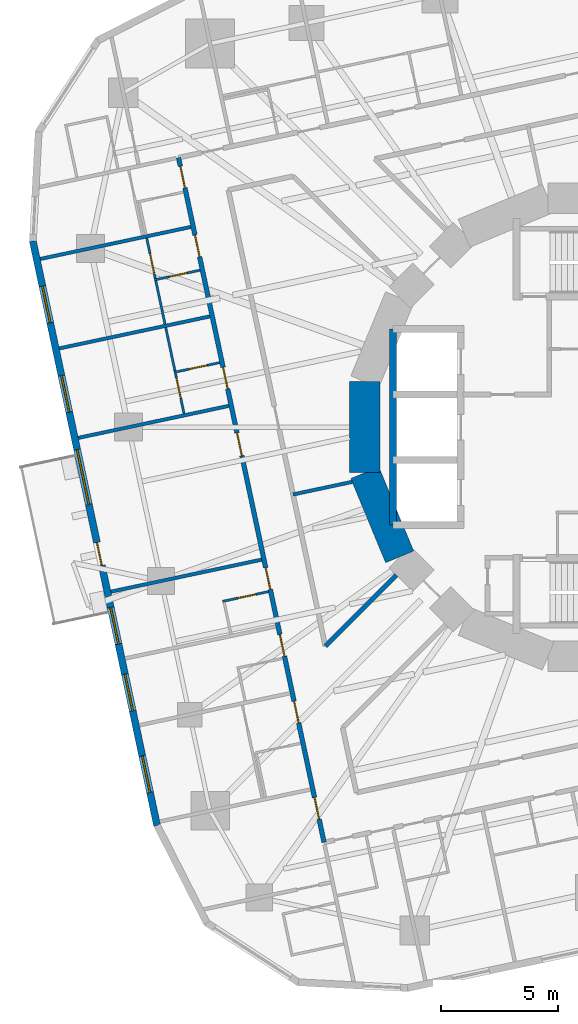
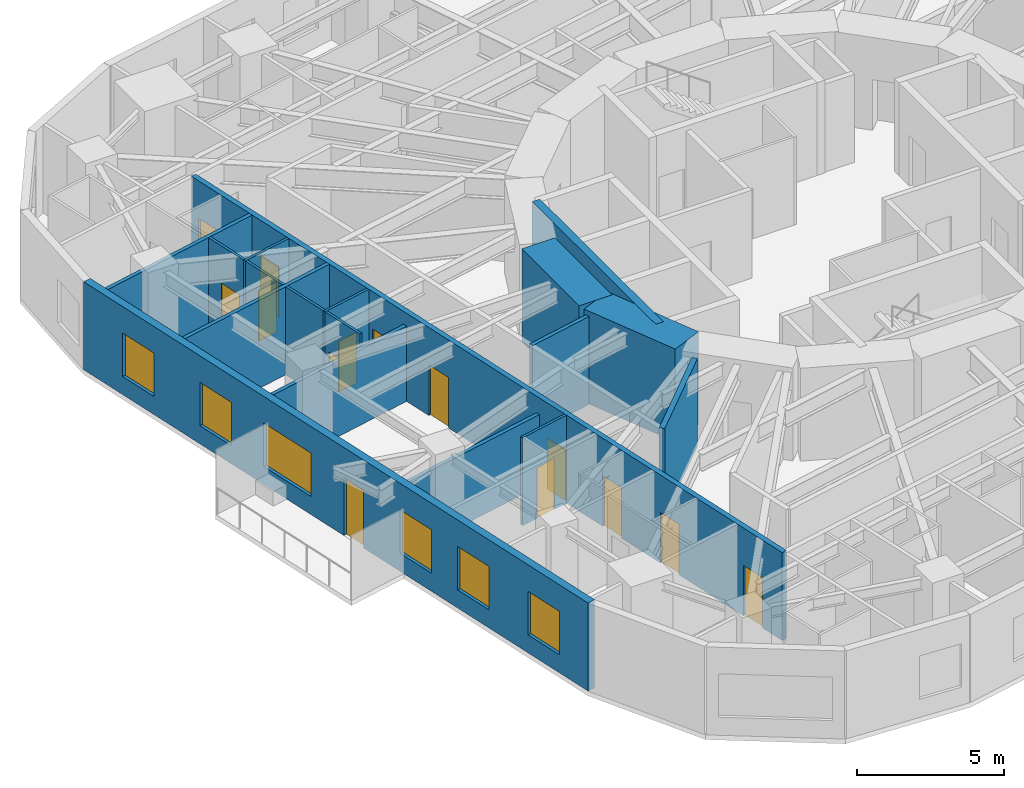
# One storey, part 6 of 14: 18 walls, 14 doors, 6 windows, 20 openings.
"""IFC4 building model written with IfcOpenShell, lengths in metres."""

from ifc_helpers import new_model, si_unit, direction, frame, frame_2d, origin, place, context, subcontext, project, spatial, rectangle, extrude, material, layer, layer_set, type_object, element, fill, save


model = new_model("IFC4")

# Units and contexts
model_context = context("Model", 3, precision=1e-05, world=origin(), true_north=direction((0.0, 1.0)))
body_context = subcontext(model_context, "Body", "Model", "MODEL_VIEW")
ifc_project = project(units=[si_unit("LENGTHUNIT", "METRE"), si_unit("AREAUNIT", "SQUARE_METRE"), si_unit("VOLUMEUNIT", "CUBIC_METRE"), si_unit("PLANEANGLEUNIT", "RADIAN"), si_unit("MASSUNIT", "GRAM", prefix="KILO")], contexts=[model_context])

# Site, building, storey
site_placement = place(None, origin())
site = spatial("IfcSite", under=ifc_project, at=site_placement, CompositionType="ELEMENT")
building_placement = place(site_placement, origin())
building = spatial("IfcBuilding", under=site, at=building_placement, Name="Nakasero Lantern House", CompositionType="ELEMENT")
storey_placement = place(building_placement, frame((0.0, 0.0, 120.39990234375)))
storey = spatial("IfcBuildingStorey", under=building, at=storey_placement, Name="L29", CompositionType="ELEMENT", Elevation=120.39990234375)

# Walls
ifc_material_1 = material(Name="Concrete C50/60", Category="concrete")
ifc_layer_1 = layer(ifc_material_1, 0.300048828125)
ifc_layer_set_1 = layer_set([ifc_layer_1], Name="Core inner wall 300")
wall_type_1 = type_object("IfcWallType", Name="Core inner wall 300", PredefinedType="SHEAR", material=ifc_layer_set_1)
wall_1_placement = place(storey_placement, frame((-8.60009765625, -4.199951171875, 0.0), z_axis=(0.0, 0.0, 1.0), x_axis=(0.0, 1.0, 0.0)))
element("IfcWall", 1, at=wall_1_placement, inside=storey, type_object=wall_type_1, Name="Core inner wall L29 LWB", PredefinedType="SHEAR", context=body_context, shape_type="SweptSolid", body=[
    extrude(rectangle(XDim=8.39990234375, YDim=0.300048828125, at=frame_2d((4.199951171875, 0.0))), origin(), (0.0, 0.0, 1.0), 3.85009765625),
])
ifc_material_2 = material(Name="Concrete C50/60", Category="concrete")
ifc_layer_2 = layer(ifc_material_2, 1.300048828125)
ifc_layer_set_2 = layer_set([ifc_layer_2], Name="Core wall 1300")
wall_type_2 = type_object("IfcWallType", Name="Core wall 1300", PredefinedType="SHEAR", material=ifc_layer_set_2)
for number, where, z_axis, x_axis, name in (
    (2, (-9.807861328125, 1.950927734375, 0.0), (0.0, 0.0, 1.0), (0.0, -1.0, 0.0), "Core wall L29 facet 8"),
    (3, (-9.807861328125, -1.950927734375, 0.0), (0.0, 0.0, 1.0), (0.382690736062, -0.923876507187, 0.0), "Core wall L29 facet 9"),
):
    element("IfcWall", number, at=place(storey_placement, frame(where, z_axis=z_axis, x_axis=x_axis)), inside=storey, type_object=wall_type_2, Name=name, PredefinedType="SHEAR", context=body_context, shape_type="SweptSolid", body=[
        extrude(rectangle(XDim=3.90185546875, YDim=1.300048828125, at=frame_2d((1.950927734375, 0.0))), origin(), (0.0, 0.0, 1.0), 3.85009765625),
    ])

# Wall, openings, doors
ifc_material_3 = material(Name="Blockwork", Category="masonry")
ifc_layer_3 = layer(ifc_material_3, 0.199951171875)
ifc_layer_set_3 = layer_set([ifc_layer_3], Name="Corridor wall 200")
wall_type_3 = type_object("IfcWallType", Name="Corridor wall 200", PredefinedType="PARTITIONING", material=ifc_layer_set_3)
wall_2_placement = place(storey_placement, frame((-17.790771484375, 11.553466796875, 0.0), z_axis=(0.0, 0.0, 1.0), x_axis=(0.207911508826, -0.978147639417, 0.0)))
wall_2 = element("IfcWall", 4, at=wall_2_placement, inside=storey, type_object=wall_type_3, Name="Corridor wall L29 CW2", PredefinedType="PARTITIONING", context=body_context, shape_type="SweptSolid", body=[
    extrude(rectangle(XDim=29.999755859375, YDim=0.199951171875, at=frame_2d((15.0, 0.0))), origin(), (0.0, 0.0, 1.0), 3.650146484375),
])
opening_1_placement = place(wall_2_placement, frame((0.375, 0.0, 0.0)))
opening_1 = element("IfcOpeningElement", 5, at=opening_1_placement, cuts=wall_2, Name="Opening D01", PredefinedType="OPENING", context=body_context, shape_type="SweptSolid", body=[
    extrude(rectangle(XDim=0.949951171875, YDim=2.10009765625, at=frame_2d((0.47509765625, 1.050048828125))), frame((0.0, 0.119873046875, 0.0), z_axis=(0.0, -1.0, 0.0), x_axis=(1.0, 0.0, 0.0)), (0.0, 0.0, 1.0), 0.239990234375),
])
opening_2_placement = place(wall_2_placement, frame((3.39111328125, 0.0, 0.0)))
opening_2 = element("IfcOpeningElement", 6, at=opening_2_placement, cuts=wall_2, Name="Opening D01", PredefinedType="OPENING", context=body_context, shape_type="SweptSolid", body=[
    extrude(rectangle(XDim=0.949951171875, YDim=2.10009765625, at=frame_2d((0.47509765625, 1.050048828125))), frame((0.0, 0.119873046875, 0.0), z_axis=(0.0, -1.0, 0.0), x_axis=(1.0, 0.0, 0.0)), (0.0, 0.0, 1.0), 0.239990234375),
])
opening_3_placement = place(wall_2_placement, frame((9.185546875, 0.0, 0.0)))
opening_3 = element("IfcOpeningElement", 7, at=opening_3_placement, cuts=wall_2, Name="Opening D01", PredefinedType="OPENING", context=body_context, shape_type="SweptSolid", body=[
    extrude(rectangle(XDim=0.949951171875, YDim=2.10009765625, at=frame_2d((0.47509765625, 1.050048828125))), frame((0.0, 0.119873046875, 0.0), z_axis=(0.0, -1.0, 0.0), x_axis=(1.0, 0.0, 0.0)), (0.0, 0.0, 1.0), 0.239990234375),
])
opening_4_placement = place(wall_2_placement, frame((17.967529296875, 0.0, 0.0)))
opening_4 = element("IfcOpeningElement", 8, at=opening_4_placement, cuts=wall_2, Name="Opening D01", PredefinedType="OPENING", context=body_context, shape_type="SweptSolid", body=[
    extrude(rectangle(XDim=0.949951171875, YDim=2.10009765625, at=frame_2d((0.47509765625, 1.050048828125))), frame((0.0, 0.119873046875, 0.0), z_axis=(0.0, -1.0, 0.0), x_axis=(1.0, 0.0, 0.0)), (0.0, 0.0, 1.0), 0.239990234375),
])
opening_5_placement = place(wall_2_placement, frame((20.89404296875, 0.0, 0.0)))
opening_5 = element("IfcOpeningElement", 9, at=opening_5_placement, cuts=wall_2, Name="Opening D01", PredefinedType="OPENING", context=body_context, shape_type="SweptSolid", body=[
    extrude(rectangle(XDim=0.949951171875, YDim=2.10009765625, at=frame_2d((0.47509765625, 1.050048828125))), frame((0.0, 0.119873046875, 0.0), z_axis=(0.0, -1.0, 0.0), x_axis=(1.0, 0.0, 0.0)), (0.0, 0.0, 1.0), 0.239990234375),
])
opening_6_placement = place(wall_2_placement, frame((23.8203125, 0.0, 0.0)))
opening_6 = element("IfcOpeningElement", 10, at=opening_6_placement, cuts=wall_2, Name="Opening D01", PredefinedType="OPENING", context=body_context, shape_type="SweptSolid", body=[
    extrude(rectangle(XDim=0.949951171875, YDim=2.10009765625, at=frame_2d((0.47509765625, 1.050048828125))), frame((0.0, 0.119873046875, 0.0), z_axis=(0.0, -1.0, 0.0), x_axis=(1.0, 0.0, 0.0)), (0.0, 0.0, 1.0), 0.239990234375),
])
opening_7_placement = place(wall_2_placement, frame((28.038330078125, 0.0, 0.0)))
opening_7 = element("IfcOpeningElement", 11, at=opening_7_placement, cuts=wall_2, Name="Opening D01", PredefinedType="OPENING", context=body_context, shape_type="SweptSolid", body=[
    extrude(rectangle(XDim=0.949951171875, YDim=2.10009765625, at=frame_2d((0.47509765625, 1.050048828125))), frame((0.0, 0.119873046875, 0.0), z_axis=(0.0, -1.0, 0.0), x_axis=(1.0, 0.0, 0.0)), (0.0, 0.0, 1.0), 0.239990234375),
])
opening_8_placement = place(wall_2_placement, frame((12.05517578125, 0.0, 0.0)))
opening_8 = element("IfcOpeningElement", 12, at=opening_8_placement, cuts=wall_2, Name="Opening D03", PredefinedType="OPENING", context=body_context, shape_type="SweptSolid", body=[
    extrude(rectangle(XDim=1.0, YDim=2.10009765625, at=frame_2d((0.5, 1.050048828125))), frame((0.0, 0.119873046875, 0.0), z_axis=(0.0, -1.0, 0.0), x_axis=(1.0, 0.0, 0.0)), (0.0, 0.0, 1.0), 0.239990234375),
])
ifc_material_4 = material(Name="Timber C24", Category="wood")
door_type_1 = type_object("IfcDoorType", Name="Bedroom door FD30S 950", OperationType="SINGLE_SWING_LEFT", PredefinedType="DOOR", material=ifc_material_4)
door_1_placement = place(opening_1_placement, origin())
door_1 = element("IfcDoor", 13, at=door_1_placement, inside=storey, type_object=door_type_1, Name="Door L29 D2-00", OperationType="SINGLE_SWING_LEFT", OverallHeight=2.10009765625, OverallWidth=0.949951171875, PredefinedType="DOOR", context=body_context, shape_type="SweptSolid", body=[
    extrude(rectangle(XDim=0.949951171875, YDim=2.10009765625, at=frame_2d((0.47509765625, 1.050048828125))), frame((0.0, 0.02490234375, 0.0), z_axis=(0.0, -1.0, 0.0), x_axis=(1.0, 0.0, 0.0)), (0.0, 0.0, 1.0), 0.050048828125),
])
fill(opening_1, door_1)
door_2_placement = place(opening_2_placement, origin())
door_2 = element("IfcDoor", 14, at=door_2_placement, inside=storey, type_object=door_type_1, Name="Door L29 D2-01", OperationType="SINGLE_SWING_LEFT", OverallHeight=2.10009765625, OverallWidth=0.949951171875, PredefinedType="DOOR", context=body_context, shape_type="SweptSolid", body=[
    extrude(rectangle(XDim=0.949951171875, YDim=2.10009765625, at=frame_2d((0.47509765625, 1.050048828125))), frame((0.0, 0.02490234375, 0.0), z_axis=(0.0, -1.0, 0.0), x_axis=(1.0, 0.0, 0.0)), (0.0, 0.0, 1.0), 0.050048828125),
])
fill(opening_2, door_2)
door_3_placement = place(opening_3_placement, origin())
door_3 = element("IfcDoor", 15, at=door_3_placement, inside=storey, type_object=door_type_1, Name="Door L29 D2-02", OperationType="SINGLE_SWING_LEFT", OverallHeight=2.10009765625, OverallWidth=0.949951171875, PredefinedType="DOOR", context=body_context, shape_type="SweptSolid", body=[
    extrude(rectangle(XDim=0.949951171875, YDim=2.10009765625, at=frame_2d((0.47509765625, 1.050048828125))), frame((0.0, 0.02490234375, 0.0), z_axis=(0.0, -1.0, 0.0), x_axis=(1.0, 0.0, 0.0)), (0.0, 0.0, 1.0), 0.050048828125),
])
fill(opening_3, door_3)
door_4_placement = place(opening_4_placement, origin())
door_4 = element("IfcDoor", 16, at=door_4_placement, inside=storey, type_object=door_type_1, Name="Door L29 D2-05", OperationType="SINGLE_SWING_RIGHT", OverallHeight=2.10009765625, OverallWidth=0.949951171875, PredefinedType="DOOR", context=body_context, shape_type="SweptSolid", body=[
    extrude(rectangle(XDim=0.949951171875, YDim=2.10009765625, at=frame_2d((0.47509765625, 1.050048828125))), frame((0.0, 0.02490234375, 0.0), z_axis=(0.0, -1.0, 0.0), x_axis=(1.0, 0.0, 0.0)), (0.0, 0.0, 1.0), 0.050048828125),
])
fill(opening_4, door_4)
door_5_placement = place(opening_5_placement, origin())
door_5 = element("IfcDoor", 17, at=door_5_placement, inside=storey, type_object=door_type_1, Name="Door L29 D2-06", OperationType="SINGLE_SWING_RIGHT", OverallHeight=2.10009765625, OverallWidth=0.949951171875, PredefinedType="DOOR", context=body_context, shape_type="SweptSolid", body=[
    extrude(rectangle(XDim=0.949951171875, YDim=2.10009765625, at=frame_2d((0.47509765625, 1.050048828125))), frame((0.0, 0.02490234375, 0.0), z_axis=(0.0, -1.0, 0.0), x_axis=(1.0, 0.0, 0.0)), (0.0, 0.0, 1.0), 0.050048828125),
])
fill(opening_5, door_5)
door_6_placement = place(opening_6_placement, origin())
door_6 = element("IfcDoor", 18, at=door_6_placement, inside=storey, type_object=door_type_1, Name="Door L29 D2-07", OperationType="SINGLE_SWING_RIGHT", OverallHeight=2.10009765625, OverallWidth=0.949951171875, PredefinedType="DOOR", context=body_context, shape_type="SweptSolid", body=[
    extrude(rectangle(XDim=0.949951171875, YDim=2.10009765625, at=frame_2d((0.47509765625, 1.050048828125))), frame((0.0, 0.02490234375, 0.0), z_axis=(0.0, -1.0, 0.0), x_axis=(1.0, 0.0, 0.0)), (0.0, 0.0, 1.0), 0.050048828125),
])
fill(opening_6, door_6)
door_7_placement = place(opening_7_placement, origin())
door_7 = element("IfcDoor", 19, at=door_7_placement, inside=storey, type_object=door_type_1, Name="Door L29 D2-08", OperationType="SINGLE_SWING_RIGHT", OverallHeight=2.10009765625, OverallWidth=0.949951171875, PredefinedType="DOOR", context=body_context, shape_type="SweptSolid", body=[
    extrude(rectangle(XDim=0.949951171875, YDim=2.10009765625, at=frame_2d((0.47509765625, 1.050048828125))), frame((0.0, 0.02490234375, 0.0), z_axis=(0.0, -1.0, 0.0), x_axis=(1.0, 0.0, 0.0)), (0.0, 0.0, 1.0), 0.050048828125),
])
fill(opening_7, door_7)
ifc_material_5 = material(Name="Timber C24", Category="wood")
door_type_2 = type_object("IfcDoorType", Name="Lounge door FD30S 1000", OperationType="SINGLE_SWING_LEFT", PredefinedType="DOOR", material=ifc_material_5)
door_8_placement = place(opening_8_placement, origin())
door_8 = element("IfcDoor", 20, at=door_8_placement, inside=storey, type_object=door_type_2, Name="Door L29 DK2", OperationType="SINGLE_SWING_LEFT", OverallHeight=2.10009765625, OverallWidth=1.0, PredefinedType="DOOR", context=body_context, shape_type="SweptSolid", body=[
    extrude(rectangle(XDim=1.0, YDim=2.10009765625, at=frame_2d((0.5, 1.050048828125))), frame((0.0, 0.02490234375, 0.0), z_axis=(0.0, -1.0, 0.0), x_axis=(1.0, 0.0, 0.0)), (0.0, 0.0, 1.0), 0.050048828125),
])
fill(opening_8, door_8)

# Wall
wall_3_placement = place(storey_placement, frame((-8.45556640625, -6.334228515625, 0.0), z_axis=(0.0, 0.0, 1.0), x_axis=(-0.707106781187, -0.707106781187, 0.0)))
element("IfcWall", 21, at=wall_3_placement, inside=storey, type_object=wall_type_3, Name="Corridor wall L29 PS10b", PredefinedType="PARTITIONING", context=body_context, shape_type="SweptSolid", body=[
    extrude(rectangle(XDim=4.30712890625, YDim=0.199951171875, at=frame_2d((2.153564453125, 0.0))), origin(), (0.0, 0.0, 1.0), 3.650146484375),
])

# Wall, opening, door
ifc_material_6 = material(Name="Blockwork", Category="masonry")
ifc_layer_4 = layer(ifc_material_6, 0.10009765625)
ifc_layer_set_4 = layer_set([ifc_layer_4], Name="En-suite wall 100")
wall_type_4 = type_object("IfcWallType", Name="En-suite wall 100", PredefinedType="PARTITIONING", material=ifc_layer_set_4)
wall_4_placement = place(storey_placement, frame((-16.86767578125, 6.7294921875, 0.0), z_axis=(0.0, 0.0, 1.0), x_axis=(-0.978128127149, -0.208003285743, 0.0)))
wall_4 = element("IfcWall", 22, at=wall_4_placement, inside=storey, type_object=wall_type_4, Name="En-suite wall L29 ES2-01", PredefinedType="PARTITIONING", context=body_context, shape_type="SweptSolid", body=[
    extrude(rectangle(XDim=2.0, YDim=0.10009765625, at=frame_2d((1.0, 0.0))), origin(), (0.0, 0.0, 1.0), 3.650146484375),
])
opening_9_placement = place(wall_4_placement, frame((0.550048828125, 0.0, 0.0)))
opening_9 = element("IfcOpeningElement", 23, at=opening_9_placement, cuts=wall_4, Name="Opening D02", PredefinedType="OPENING", context=body_context, shape_type="SweptSolid", body=[
    extrude(rectangle(XDim=0.800048828125, YDim=2.10009765625, at=frame_2d((0.39990234375, 1.050048828125))), frame((0.0, 0.070068359375, 0.0), z_axis=(0.0, -1.0, 0.0), x_axis=(1.0, 0.0, 0.0)), (0.0, 0.0, 1.0), 0.14013671875),
])
ifc_material_7 = material(Name="Timber C24", Category="wood")
door_type_3 = type_object("IfcDoorType", Name="En-suite door 800", OperationType="SINGLE_SWING_RIGHT", PredefinedType="DOOR", material=ifc_material_7)
door_9_placement = place(opening_9_placement, origin())
door_9 = element("IfcDoor", 24, at=door_9_placement, inside=storey, type_object=door_type_3, Name="Door L29 DE2-01", OperationType="SINGLE_SWING_LEFT", OverallHeight=2.10009765625, OverallWidth=0.800048828125, PredefinedType="DOOR", context=body_context, shape_type="SweptSolid", body=[
    extrude(rectangle(XDim=0.800048828125, YDim=2.10009765625, at=frame_2d((0.39990234375, 1.050048828125))), frame((0.0, 0.02490234375, 0.0), z_axis=(0.0, -1.0, 0.0), x_axis=(1.0, 0.0, 0.0)), (0.0, 0.0, 1.0), 0.050048828125),
])
fill(opening_9, door_9)

# Wall
wall_5_placement = place(storey_placement, frame((-18.7646484375, 6.275146484375, 0.0), z_axis=(0.0, 0.0, 1.0), x_axis=(0.207887952389, -0.978152646192, 0.0)))
element("IfcWall", 25, at=wall_5_placement, inside=storey, type_object=wall_type_4, Name="En-suite wall L29 EE2-01", PredefinedType="PARTITIONING", context=body_context, shape_type="SweptSolid", body=[
    extrude(rectangle(XDim=1.900146484375, YDim=0.10009765625, at=frame_2d((0.9501953125, 0.0))), origin(), (0.0, 0.0, 1.0), 3.650146484375),
])

# Wall, opening, door
wall_6_placement = place(storey_placement, frame((-16.025634765625, 2.767822265625, 0.0), z_axis=(0.0, 0.0, 1.0), x_axis=(-0.978152955943, -0.207886494942, 0.0)))
wall_6 = element("IfcWall", 26, at=wall_6_placement, inside=storey, type_object=wall_type_4, Name="En-suite wall L29 ES2-02", PredefinedType="PARTITIONING", context=body_context, shape_type="SweptSolid", body=[
    extrude(rectangle(XDim=2.0, YDim=0.10009765625, at=frame_2d((1.0, 0.0))), origin(), (0.0, 0.0, 1.0), 3.650146484375),
])
opening_10_placement = place(wall_6_placement, frame((0.550048828125, 0.0, 0.0)))
opening_10 = element("IfcOpeningElement", 27, at=opening_10_placement, cuts=wall_6, Name="Opening D02", PredefinedType="OPENING", context=body_context, shape_type="SweptSolid", body=[
    extrude(rectangle(XDim=0.800048828125, YDim=2.10009765625, at=frame_2d((0.39990234375, 1.050048828125))), frame((0.0, 0.070068359375, 0.0), z_axis=(0.0, -1.0, 0.0), x_axis=(1.0, 0.0, 0.0)), (0.0, 0.0, 1.0), 0.14013671875),
])
door_10_placement = place(opening_10_placement, origin())
door_10 = element("IfcDoor", 28, at=door_10_placement, inside=storey, type_object=door_type_3, Name="Door L29 DE2-02", OperationType="SINGLE_SWING_LEFT", OverallHeight=2.10009765625, OverallWidth=0.800048828125, PredefinedType="DOOR", context=body_context, shape_type="SweptSolid", body=[
    extrude(rectangle(XDim=0.800048828125, YDim=2.10009765625, at=frame_2d((0.39990234375, 1.050048828125))), frame((0.0, 0.02490234375, 0.0), z_axis=(0.0, -1.0, 0.0), x_axis=(1.0, 0.0, 0.0)), (0.0, 0.0, 1.0), 0.050048828125),
])
fill(opening_10, door_10)

# Wall
wall_7_placement = place(storey_placement, frame((-18.33837890625, 4.269775390625, 0.0), z_axis=(0.0, 0.0, 1.0), x_axis=(0.207914082431, -0.978147092378, 0.0)))
element("IfcWall", 29, at=wall_7_placement, inside=storey, type_object=wall_type_4, Name="En-suite wall L29 EE2-02", PredefinedType="PARTITIONING", context=body_context, shape_type="SweptSolid", body=[
    extrude(rectangle(XDim=1.89990234375, YDim=0.10009765625, at=frame_2d((0.949951171875, 0.0))), origin(), (0.0, 0.0, 1.0), 3.650146484375),
])

# Wall, opening, door
wall_8_placement = place(storey_placement, frame((-13.939697265625, -7.046142578125, 0.0), z_axis=(0.0, 0.0, 1.0), x_axis=(-0.978152955943, -0.207886494942, 0.0)))
wall_8 = element("IfcWall", 30, at=wall_8_placement, inside=storey, type_object=wall_type_4, Name="En-suite wall L29 ES2-05", PredefinedType="PARTITIONING", context=body_context, shape_type="SweptSolid", body=[
    extrude(rectangle(XDim=2.0, YDim=0.10009765625, at=frame_2d((1.0, 0.0))), origin(), (0.0, 0.0, 1.0), 3.650146484375),
])
opening_11_placement = place(wall_8_placement, frame((0.550048828125, 0.0, 0.0)))
opening_11 = element("IfcOpeningElement", 31, at=opening_11_placement, cuts=wall_8, Name="Opening D02", PredefinedType="OPENING", context=body_context, shape_type="SweptSolid", body=[
    extrude(rectangle(XDim=0.800048828125, YDim=2.10009765625, at=frame_2d((0.39990234375, 1.050048828125))), frame((0.0, 0.070068359375, 0.0), z_axis=(0.0, -1.0, 0.0), x_axis=(1.0, 0.0, 0.0)), (0.0, 0.0, 1.0), 0.14013671875),
])
door_11_placement = place(opening_11_placement, origin())
door_11 = element("IfcDoor", 32, at=door_11_placement, inside=storey, type_object=door_type_3, Name="Door L29 DE2-05", OperationType="SINGLE_SWING_LEFT", OverallHeight=2.10009765625, OverallWidth=0.800048828125, PredefinedType="DOOR", context=body_context, shape_type="SweptSolid", body=[
    extrude(rectangle(XDim=0.800048828125, YDim=2.10009765625, at=frame_2d((0.39990234375, 1.050048828125))), frame((0.0, 0.02490234375, 0.0), z_axis=(0.0, -1.0, 0.0), x_axis=(1.0, 0.0, 0.0)), (0.0, 0.0, 1.0), 0.050048828125),
])
fill(opening_11, door_11)

wall_9_placement = place(storey_placement, frame((-19.1533203125, 8.103759765625, 0.0), z_axis=(0.0, 0.0, 1.0), x_axis=(0.207908255933, -0.978148330835, 0.0)))
wall_9 = element("IfcWall", 33, at=wall_9_placement, inside=storey, type_object=wall_type_4, Name="En-suite wall L29 EL2-01", PredefinedType="PARTITIONING", context=body_context, shape_type="SweptSolid", body=[
    extrude(rectangle(XDim=1.76953125, YDim=0.10009765625, at=frame_2d((0.884765625, 0.0))), origin(), (0.0, 0.0, 1.0), 3.650146484375),
])
opening_12_placement = place(wall_9_placement, frame((0.66943359375, 0.0, 0.0)))
opening_12 = element("IfcOpeningElement", 34, at=opening_12_placement, cuts=wall_9, Name="Opening D17", PredefinedType="OPENING", context=body_context, shape_type="SweptSolid", body=[
    extrude(rectangle(XDim=0.89990234375, YDim=2.10009765625, at=frame_2d((0.449951171875, 1.050048828125))), frame((0.0, 0.070068359375, 0.0), z_axis=(0.0, -1.0, 0.0), x_axis=(1.0, 0.0, 0.0)), (0.0, 0.0, 1.0), 0.14013671875),
])
ifc_material_8 = material(Name="Timber C24", Category="wood")
door_type_4 = type_object("IfcDoorType", Name="Bedroom door FD30S 900", OperationType="SINGLE_SWING_LEFT", PredefinedType="DOOR", material=ifc_material_8)
door_12_placement = place(opening_12_placement, origin())
door_12 = element("IfcDoor", 35, at=door_12_placement, inside=storey, type_object=door_type_4, Name="Door L29 DL2-01", OperationType="SINGLE_SWING_RIGHT", OverallHeight=2.10009765625, OverallWidth=0.89990234375, PredefinedType="DOOR", context=body_context, shape_type="SweptSolid", body=[
    extrude(rectangle(XDim=0.89990234375, YDim=2.10009765625, at=frame_2d((0.449951171875, 1.050048828125))), frame((0.0, 0.02490234375, 0.0), z_axis=(0.0, -1.0, 0.0), x_axis=(1.0, 0.0, 0.0)), (0.0, 0.0, 1.0), 0.050048828125),
])
fill(opening_12, door_12)

wall_10_placement = place(storey_placement, frame((-17.922607421875, 2.3134765625, 0.0), z_axis=(0.0, 0.0, 1.0), x_axis=(0.207936316228, -0.978142366117, 0.0)))
wall_10 = element("IfcWall", 36, at=wall_10_placement, inside=storey, type_object=wall_type_4, Name="En-suite wall L29 EL2-02", PredefinedType="PARTITIONING", context=body_context, shape_type="SweptSolid", body=[
    extrude(rectangle(XDim=1.769287109375, YDim=0.10009765625, at=frame_2d((0.884765625, 0.0))), origin(), (0.0, 0.0, 1.0), 3.650146484375),
])
opening_13_placement = place(wall_10_placement, frame((0.199951171875, 0.0, 0.0)))
opening_13 = element("IfcOpeningElement", 37, at=opening_13_placement, cuts=wall_10, Name="Opening D17", PredefinedType="OPENING", context=body_context, shape_type="SweptSolid", body=[
    extrude(rectangle(XDim=0.89990234375, YDim=2.10009765625, at=frame_2d((0.449951171875, 1.050048828125))), frame((0.0, 0.070068359375, 0.0), z_axis=(0.0, -1.0, 0.0), x_axis=(1.0, 0.0, 0.0)), (0.0, 0.0, 1.0), 0.14013671875),
])
door_13_placement = place(opening_13_placement, origin())
door_13 = element("IfcDoor", 38, at=door_13_placement, inside=storey, type_object=door_type_4, Name="Door L29 DL2-02", OperationType="SINGLE_SWING_LEFT", OverallHeight=2.10009765625, OverallWidth=0.89990234375, PredefinedType="DOOR", context=body_context, shape_type="SweptSolid", body=[
    extrude(rectangle(XDim=0.89990234375, YDim=2.10009765625, at=frame_2d((0.449951171875, 1.050048828125))), frame((0.0, 0.02490234375, 0.0), z_axis=(0.0, -1.0, 0.0), x_axis=(1.0, 0.0, 0.0)), (0.0, 0.0, 1.0), 0.050048828125),
])
fill(opening_13, door_13)

# Wall, openings, door, windows
ifc_material_9 = material(Name="Aluminium rainscreen on blockwork", Category="masonry")
ifc_layer_5 = layer(ifc_material_9, 0.300048828125)
ifc_layer_set_5 = layer_set([ifc_layer_5], Name="Facade wall 300")
wall_type_5 = type_object("IfcWallType", Name="Facade wall 300", PredefinedType="SOLIDWALL", material=ifc_layer_set_5)
wall_11_placement = place(storey_placement, frame((-24.03369140625, 7.9775390625, 0.0), z_axis=(0.0, 0.0, 1.0), x_axis=(0.207909055127, -0.978148160964, 0.0)))
wall_11 = element("IfcWall", 39, at=wall_11_placement, inside=storey, type_object=wall_type_5, Name="Facade wall L29 FW2S", PredefinedType="SOLIDWALL", context=body_context, shape_type="SweptSolid", body=[
    extrude(rectangle(XDim=25.60009765625, YDim=0.300048828125, at=frame_2d((12.800048828125, 0.0))), origin(), (0.0, 0.0, 1.0), 3.650146484375),
])
opening_14_placement = place(wall_11_placement, frame((1.975830078125, 0.0, 0.75)))
opening_14 = element("IfcOpeningElement", 40, at=opening_14_placement, cuts=wall_11, Name="Opening W01", PredefinedType="OPENING", context=body_context, shape_type="SweptSolid", body=[
    extrude(rectangle(XDim=1.60009765625, YDim=1.800048828125, at=frame_2d((0.800048828125, 0.89990234375))), frame((0.0, 0.169921875, 0.0), z_axis=(0.0, -1.0, 0.0), x_axis=(1.0, 0.0, 0.0)), (0.0, 0.0, 1.0), 0.340087890625),
])
opening_15_placement = place(wall_11_placement, frame((5.8955078125, 0.0, 0.75)))
opening_15 = element("IfcOpeningElement", 41, at=opening_15_placement, cuts=wall_11, Name="Opening W01", PredefinedType="OPENING", context=body_context, shape_type="SweptSolid", body=[
    extrude(rectangle(XDim=1.60009765625, YDim=1.800048828125, at=frame_2d((0.800048828125, 0.89990234375))), frame((0.0, 0.169921875, 0.0), z_axis=(0.0, -1.0, 0.0), x_axis=(1.0, 0.0, 0.0)), (0.0, 0.0, 1.0), 0.340087890625),
])
opening_16_placement = place(wall_11_placement, frame((16.0556640625, 0.0, 0.75)))
opening_16 = element("IfcOpeningElement", 42, at=opening_16_placement, cuts=wall_11, Name="Opening W01", PredefinedType="OPENING", context=body_context, shape_type="SweptSolid", body=[
    extrude(rectangle(XDim=1.60009765625, YDim=1.800048828125, at=frame_2d((0.800048828125, 0.89990234375))), frame((0.0, 0.169921875, 0.0), z_axis=(0.0, -1.0, 0.0), x_axis=(1.0, 0.0, 0.0)), (0.0, 0.0, 1.0), 0.340087890625),
])
opening_17_placement = place(wall_11_placement, frame((18.982177734375, 0.0, 0.75)))
opening_17 = element("IfcOpeningElement", 43, at=opening_17_placement, cuts=wall_11, Name="Opening W01", PredefinedType="OPENING", context=body_context, shape_type="SweptSolid", body=[
    extrude(rectangle(XDim=1.60009765625, YDim=1.800048828125, at=frame_2d((0.800048828125, 0.89990234375))), frame((0.0, 0.169921875, 0.0), z_axis=(0.0, -1.0, 0.0), x_axis=(1.0, 0.0, 0.0)), (0.0, 0.0, 1.0), 0.340087890625),
])
opening_18_placement = place(wall_11_placement, frame((22.554443359375, 0.0, 0.75)))
opening_18 = element("IfcOpeningElement", 44, at=opening_18_placement, cuts=wall_11, Name="Opening W01", PredefinedType="OPENING", context=body_context, shape_type="SweptSolid", body=[
    extrude(rectangle(XDim=1.60009765625, YDim=1.800048828125, at=frame_2d((0.800048828125, 0.89990234375))), frame((0.0, 0.169921875, 0.0), z_axis=(0.0, -1.0, 0.0), x_axis=(1.0, 0.0, 0.0)), (0.0, 0.0, 1.0), 0.340087890625),
])
opening_19_placement = place(wall_11_placement, frame((9.139404296875, 0.0, 0.75)))
opening_19 = element("IfcOpeningElement", 45, at=opening_19_placement, cuts=wall_11, Name="Opening W03", PredefinedType="OPENING", context=body_context, shape_type="SweptSolid", body=[
    extrude(rectangle(XDim=2.39990234375, YDim=1.800048828125, at=frame_2d((1.199951171875, 0.89990234375))), frame((0.0, 0.169921875, 0.0), z_axis=(0.0, -1.0, 0.0), x_axis=(1.0, 0.0, 0.0)), (0.0, 0.0, 1.0), 0.340087890625),
])
opening_20_placement = place(wall_11_placement, frame((13.208251953125, 0.0, 0.0)))
opening_20 = element("IfcOpeningElement", 46, at=opening_20_placement, cuts=wall_11, Name="Opening D04", PredefinedType="OPENING", context=body_context, shape_type="SweptSolid", body=[
    extrude(rectangle(XDim=1.0, YDim=2.39990234375, at=frame_2d((0.5, 1.199951171875))), frame((0.0, 0.169921875, 0.0), z_axis=(0.0, -1.0, 0.0), x_axis=(1.0, 0.0, 0.0)), (0.0, 0.0, 1.0), 0.340087890625),
])
ifc_material_10 = material(Name="Aluminium 6063-T6 and glass", Category="aluminium")
door_type_5 = type_object("IfcDoorType", Name="Balcony door 1000x2400", OperationType="SINGLE_SWING_RIGHT", PredefinedType="DOOR", material=ifc_material_10)
door_14_placement = place(opening_20_placement, origin())
door_14 = element("IfcDoor", 47, at=door_14_placement, inside=storey, type_object=door_type_5, Name="Balcony door L29 DB2", OperationType="SINGLE_SWING_RIGHT", OverallHeight=2.39990234375, OverallWidth=1.0, PredefinedType="DOOR", context=body_context, shape_type="SweptSolid", body=[
    extrude(rectangle(XDim=1.0, YDim=2.39990234375, at=frame_2d((0.5, 1.199951171875))), frame((0.0, 0.02490234375, 0.0), z_axis=(0.0, -1.0, 0.0), x_axis=(1.0, 0.0, 0.0)), (0.0, 0.0, 1.0), 0.050048828125),
])
fill(opening_20, door_14)
ifc_material_11 = material(Name="Aluminium 6063-T6 and glass", Category="aluminium")
window_type_1 = type_object("IfcWindowType", Name="Bedroom window 1600x1800", PartitioningType="SINGLE_PANEL", PredefinedType="WINDOW", material=ifc_material_11)
window_1_placement = place(opening_14_placement, origin())
window_1 = element("IfcWindow", 48, at=window_1_placement, inside=storey, type_object=window_type_1, Name="Window L29 WN2-01", OverallHeight=1.800048828125, OverallWidth=1.60009765625, PartitioningType="SINGLE_PANEL", PredefinedType="WINDOW", context=body_context, shape_type="SweptSolid", body=[
    extrude(rectangle(XDim=1.60009765625, YDim=1.800048828125, at=frame_2d((0.800048828125, 0.89990234375))), frame((0.0, 0.030029296875, 0.0), z_axis=(0.0, -1.0, 0.0), x_axis=(1.0, 0.0, 0.0)), (0.0, 0.0, 1.0), 0.06005859375),
])
fill(opening_14, window_1)
window_2_placement = place(opening_15_placement, origin())
window_2 = element("IfcWindow", 49, at=window_2_placement, inside=storey, type_object=window_type_1, Name="Window L29 WN2-02", OverallHeight=1.800048828125, OverallWidth=1.60009765625, PartitioningType="SINGLE_PANEL", PredefinedType="WINDOW", context=body_context, shape_type="SweptSolid", body=[
    extrude(rectangle(XDim=1.60009765625, YDim=1.800048828125, at=frame_2d((0.800048828125, 0.89990234375))), frame((0.0, 0.030029296875, 0.0), z_axis=(0.0, -1.0, 0.0), x_axis=(1.0, 0.0, 0.0)), (0.0, 0.0, 1.0), 0.06005859375),
])
fill(opening_15, window_2)
window_3_placement = place(opening_16_placement, origin())
window_3 = element("IfcWindow", 50, at=window_3_placement, inside=storey, type_object=window_type_1, Name="Window L29 WN2-05", OverallHeight=1.800048828125, OverallWidth=1.60009765625, PartitioningType="SINGLE_PANEL", PredefinedType="WINDOW", context=body_context, shape_type="SweptSolid", body=[
    extrude(rectangle(XDim=1.60009765625, YDim=1.800048828125, at=frame_2d((0.800048828125, 0.89990234375))), frame((0.0, 0.030029296875, 0.0), z_axis=(0.0, -1.0, 0.0), x_axis=(1.0, 0.0, 0.0)), (0.0, 0.0, 1.0), 0.06005859375),
])
fill(opening_16, window_3)
window_4_placement = place(opening_17_placement, origin())
window_4 = element("IfcWindow", 51, at=window_4_placement, inside=storey, type_object=window_type_1, Name="Window L29 WN2-06", OverallHeight=1.800048828125, OverallWidth=1.60009765625, PartitioningType="SINGLE_PANEL", PredefinedType="WINDOW", context=body_context, shape_type="SweptSolid", body=[
    extrude(rectangle(XDim=1.60009765625, YDim=1.800048828125, at=frame_2d((0.800048828125, 0.89990234375))), frame((0.0, 0.030029296875, 0.0), z_axis=(0.0, -1.0, 0.0), x_axis=(1.0, 0.0, 0.0)), (0.0, 0.0, 1.0), 0.06005859375),
])
fill(opening_17, window_4)
window_5_placement = place(opening_18_placement, origin())
window_5 = element("IfcWindow", 52, at=window_5_placement, inside=storey, type_object=window_type_1, Name="Window L29 WN2-07", OverallHeight=1.800048828125, OverallWidth=1.60009765625, PartitioningType="SINGLE_PANEL", PredefinedType="WINDOW", context=body_context, shape_type="SweptSolid", body=[
    extrude(rectangle(XDim=1.60009765625, YDim=1.800048828125, at=frame_2d((0.800048828125, 0.89990234375))), frame((0.0, 0.030029296875, 0.0), z_axis=(0.0, -1.0, 0.0), x_axis=(1.0, 0.0, 0.0)), (0.0, 0.0, 1.0), 0.06005859375),
])
fill(opening_18, window_5)
ifc_material_12 = material(Name="Aluminium 6063-T6 and glass", Category="aluminium")
window_type_2 = type_object("IfcWindowType", Name="Lounge window 2400x1800", PartitioningType="SINGLE_PANEL", PredefinedType="WINDOW", material=ifc_material_12)
window_6_placement = place(opening_19_placement, origin())
window_6 = element("IfcWindow", 53, at=window_6_placement, inside=storey, type_object=window_type_2, Name="Window L29 WK2", OverallHeight=1.800048828125, OverallWidth=2.39990234375, PartitioningType="SINGLE_PANEL", PredefinedType="WINDOW", context=body_context, shape_type="SweptSolid", body=[
    extrude(rectangle(XDim=2.39990234375, YDim=1.800048828125, at=frame_2d((1.199951171875, 0.89990234375))), frame((0.0, 0.030029296875, 0.0), z_axis=(0.0, -1.0, 0.0), x_axis=(1.0, 0.0, 0.0)), (0.0, 0.0, 1.0), 0.06005859375),
])
fill(opening_19, window_6)

# Walls
ifc_material_13 = material(Name="Blockwork", Category="masonry")
ifc_layer_6 = layer(ifc_material_13, 0.14990234375)
ifc_layer_set_6 = layer_set([ifc_layer_6], Name="Party wall 150")
wall_type_6 = type_object("IfcWallType", Name="Party wall 150", PredefinedType="PARTITIONING", material=ifc_layer_set_6)
wall_12_placement = place(storey_placement, frame((-17.26171875, 8.58251953125, 0.0), z_axis=(0.0, 0.0, 1.0), x_axis=(-0.978143241716, -0.207932197326, 0.0)))
element("IfcWall", 54, at=wall_12_placement, inside=storey, type_object=wall_type_6, Name="Party wall L29 PW2-01", PredefinedType="PARTITIONING", context=body_context, shape_type="SweptSolid", body=[
    extrude(rectangle(XDim=6.599853515625, YDim=0.14990234375, at=frame_2d((3.2998046875, 0.0))), origin(), (0.0, 0.0, 1.0), 3.650146484375),
])
wall_13_placement = place(storey_placement, frame((-16.44677734375, 4.748779296875, 0.0), z_axis=(0.0, 0.0, 1.0), x_axis=(-0.978144841009, -0.207924673876, 0.0)))
element("IfcWall", 55, at=wall_13_placement, inside=storey, type_object=wall_type_6, Name="Party wall L29 PW2-02", PredefinedType="PARTITIONING", context=body_context, shape_type="SweptSolid", body=[
    extrude(rectangle(XDim=6.60009765625, YDim=0.14990234375, at=frame_2d((3.300048828125, 0.0))), origin(), (0.0, 0.0, 1.0), 3.650146484375),
])
wall_14_placement = place(storey_placement, frame((-15.6318359375, 0.914794921875, 0.0), z_axis=(0.0, 0.0, 1.0), x_axis=(-0.978144841009, -0.207924673876, 0.0)))
element("IfcWall", 56, at=wall_14_placement, inside=storey, type_object=wall_type_6, Name="Party wall L29 PW2-03", PredefinedType="PARTITIONING", context=body_context, shape_type="SweptSolid", body=[
    extrude(rectangle(XDim=6.60009765625, YDim=0.14990234375, at=frame_2d((3.300048828125, 0.0))), origin(), (0.0, 0.0, 1.0), 3.121826171875),
])
wall_15_placement = place(storey_placement, frame((-14.23095703125, -5.67529296875, 0.0), z_axis=(0.0, 0.0, 1.0), x_axis=(-0.978144841009, -0.207924673876, 0.0)))
element("IfcWall", 57, at=wall_15_placement, inside=storey, type_object=wall_type_6, Name="Party wall L29 PW2-05", PredefinedType="PARTITIONING", context=body_context, shape_type="SweptSolid", body=[
    extrude(rectangle(XDim=6.60009765625, YDim=0.14990234375, at=frame_2d((3.300048828125, 0.0))), origin(), (0.0, 0.0, 1.0), 2.957275390625),
])
wall_16_placement = place(storey_placement, frame((-12.88232421875, -2.88134765625, 0.0), z_axis=(0.0, 0.0, 1.0), x_axis=(0.978137762495, 0.207957970708, 0.0)))
element("IfcWall", 58, at=wall_16_placement, inside=storey, type_object=wall_type_6, Name="Party wall L29 IM2", PredefinedType="PARTITIONING", context=body_context, shape_type="SweptSolid", body=[
    extrude(rectangle(XDim=2.58984375, YDim=0.14990234375, at=frame_2d((1.294921875, 0.0))), origin(), (0.0, 0.0, 1.0), 3.650146484375),
])

save(model, "model.ifc")
